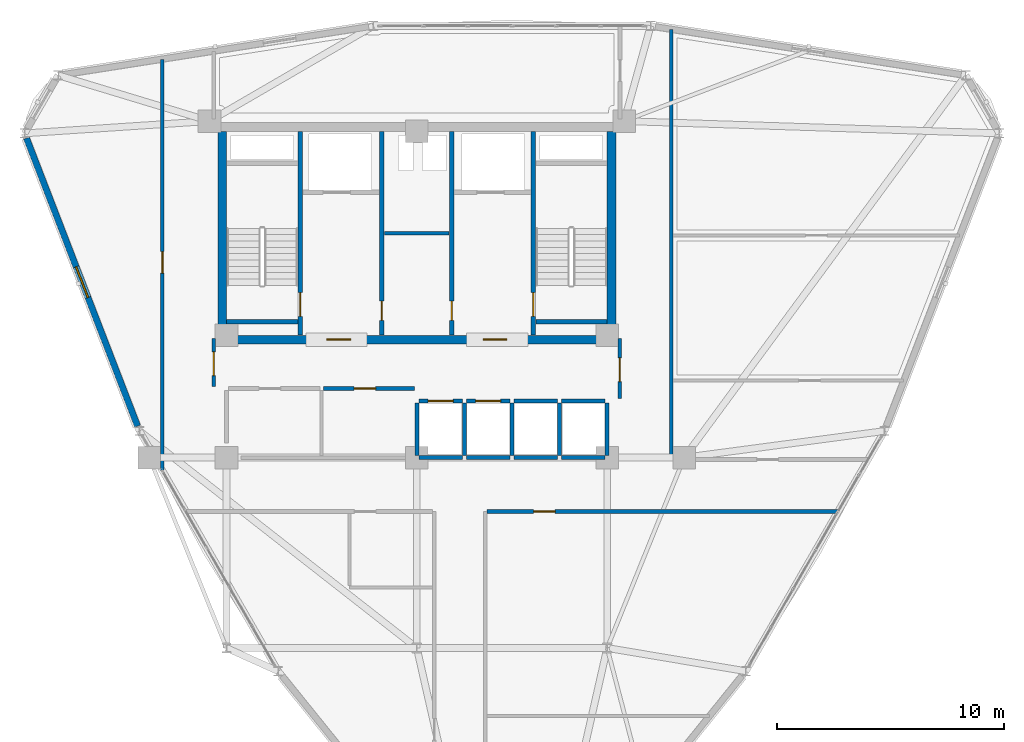
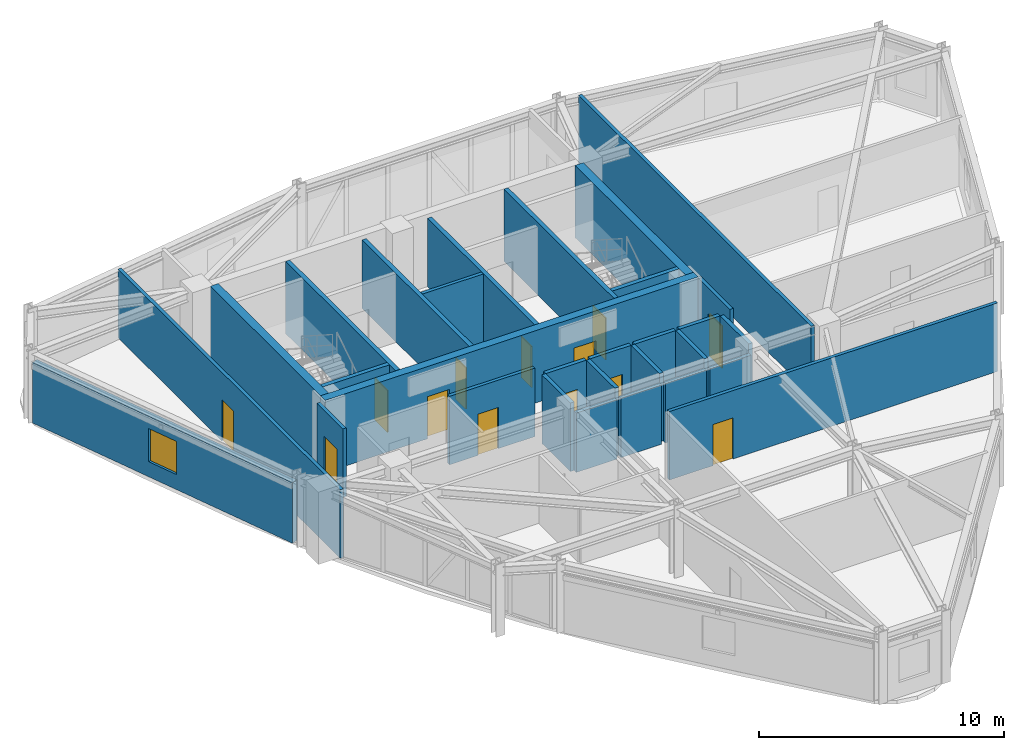
# One storey, part 13 of 16: 30 walls, 13 doors, 1 window, 14 openings.
"""IFC4 building model written with IfcOpenShell, lengths in metres."""

from ifc_helpers import new_model, si_unit, derived_unit, direction, frame, frame_2d, origin, place, context, subcontext, project, spatial, rectangle, extrude, material, layer, layer_set, type_object, element, fill, save


model = new_model("IFC4")

# Units and contexts
model_context = context("Model", 3, precision=1e-05, world=origin(), true_north=direction((0.0, 1.0)))
body_context = subcontext(model_context, "Body", "Model", "MODEL_VIEW")
ifc_project = project(units=[si_unit("LENGTHUNIT", "METRE"), si_unit("AREAUNIT", "SQUARE_METRE"), si_unit("VOLUMEUNIT", "CUBIC_METRE"), si_unit("PLANEANGLEUNIT", "RADIAN"), si_unit("MASSUNIT", "GRAM", prefix="KILO"), derived_unit("THERMALTRANSMITTANCEUNIT", [(si_unit("POWERUNIT", "WATT"), 1), (si_unit("LENGTHUNIT", "METRE"), -2), (si_unit("THERMODYNAMICTEMPERATUREUNIT", "KELVIN"), -1)])], contexts=[model_context])

# Site, building, storey
site_placement = place(None, origin())
site = spatial("IfcSite", under=ifc_project, at=site_placement, CompositionType="ELEMENT")
building_placement = place(site_placement, origin())
building = spatial("IfcBuilding", under=site, at=building_placement, Name="Korsvarv Bourse and Concert Hall", CompositionType="ELEMENT")
storey_placement = place(building_placement, frame((0.0, 0.0, 216.60009765625)))
storey = spatial("IfcBuildingStorey", under=building, at=storey_placement, Name="L56", CompositionType="ELEMENT", Elevation=216.60009765625)

# Wall, openings, doors
ifc_material_1 = material(Name="Concrete C50/60", Category="concrete")
ifc_layer_1 = layer(ifc_material_1, 0.3798828125)
ifc_layer_set_1 = layer_set([ifc_layer_1], Name="Concrete C50/60")
wall_type_1 = type_object("IfcWallType", Name="WL-CORE-380", PredefinedType="SHEAR", material=ifc_layer_set_1)
wall_1_placement = place(storey_placement, frame((27.219970703125, 37.610107421875, 0.0), z_axis=(0.0, 0.0, 1.0), x_axis=(1.0, 0.0, 0.0)))
wall_1 = element("IfcWall", 1, at=wall_1_placement, inside=storey, type_object=wall_type_1, Name="L56 South Core Shear Wall", PredefinedType="SHEAR", context=body_context, shape_type="SweptSolid", body=[
    extrude(rectangle(XDim=17.56005859375, YDim=0.3798828125, at=frame_2d((8.780029296875, 0.0))), origin(), (0.0, 0.0, 1.0), 3.599853515625),
])
opening_1_placement = place(wall_1_placement, frame((4.804931640625, 0.0, 0.0)))
opening_1 = element("IfcOpeningElement", 2, at=opening_1_placement, cuts=wall_1, Name="Opening D-01", PredefinedType="OPENING", context=body_context, shape_type="SweptSolid", body=[
    extrude(rectangle(XDim=1.050048828125, YDim=2.10009765625, at=frame_2d((0.52490234375, 1.050048828125))), frame((0.0, 0.199951171875, 0.0), z_axis=(0.0, -1.0, 0.0), x_axis=(1.0, 0.0, 0.0)), (0.0, 0.0, 1.0), 0.39990234375),
])
opening_2_placement = place(wall_1_placement, frame((11.705078125, 0.0, 0.0)))
opening_2 = element("IfcOpeningElement", 3, at=opening_2_placement, cuts=wall_1, Name="Opening D-01", PredefinedType="OPENING", context=body_context, shape_type="SweptSolid", body=[
    extrude(rectangle(XDim=1.050048828125, YDim=2.10009765625, at=frame_2d((0.52490234375, 1.050048828125))), frame((0.0, 0.199951171875, 0.0), z_axis=(0.0, -1.0, 0.0), x_axis=(1.0, 0.0, 0.0)), (0.0, 0.0, 1.0), 0.39990234375),
])
ifc_material_2 = material(Name="Steel S355 fire door", Category="steel")
door_type_1 = type_object("IfcDoorType", Name="DR-FD60", OperationType="NOTDEFINED", PredefinedType="DOOR", material=ifc_material_2)
door_1_placement = place(opening_1_placement, frame((1.050048828125, 0.0, 0.0), z_axis=(0.0, 0.0, 1.0), x_axis=(-1.0, 0.0, 0.0)))
door_1 = element("IfcDoor", 4, at=door_1_placement, inside=storey, type_object=door_type_1, Name="L56 firefighting lobby fire door DR-L56-FFLW", OperationType="SINGLE_SWING_RIGHT", OverallHeight=2.10009765625, OverallWidth=1.050048828125, PredefinedType="DOOR", context=body_context, shape_type="SweptSolid", body=[
    extrude(rectangle(XDim=1.050048828125, YDim=2.10009765625, at=frame_2d((0.52490234375, 1.050048828125))), frame((0.0, 0.02490234375, 0.0), z_axis=(0.0, -1.0, 0.0), x_axis=(1.0, 0.0, 0.0)), (0.0, 0.0, 1.0), 0.050048828125),
])
fill(opening_1, door_1)
door_2_placement = place(opening_2_placement, frame((1.050048828125, 0.0, 0.0), z_axis=(0.0, 0.0, 1.0), x_axis=(-1.0, 0.0, 0.0)))
door_2 = element("IfcDoor", 5, at=door_2_placement, inside=storey, type_object=door_type_1, Name="L56 firefighting lobby fire door DR-L56-FFLE", OperationType="SINGLE_SWING_LEFT", OverallHeight=2.10009765625, OverallWidth=1.050048828125, PredefinedType="DOOR", context=body_context, shape_type="SweptSolid", body=[
    extrude(rectangle(XDim=1.050048828125, YDim=2.10009765625, at=frame_2d((0.52490234375, 1.050048828125))), frame((0.0, 0.02490234375, 0.0), z_axis=(0.0, -1.0, 0.0), x_axis=(1.0, 0.0, 0.0)), (0.0, 0.0, 1.0), 0.050048828125),
])
fill(opening_2, door_2)

# Walls
for number, where, z_axis, x_axis, name in (
    (6, (27.409912109375, 37.800048828125, 0.0), (0.0, 0.0, 1.0), (0.0, 1.0, 0.0), "L56 West Core Shear Wall"),
    (7, (44.590087890625, 37.800048828125, 0.0), (0.0, 0.0, 1.0), (0.0, 1.0, 0.0), "L56 East Core Shear Wall"),
):
    element("IfcWall", number, at=place(storey_placement, frame(where, z_axis=z_axis, x_axis=x_axis)), inside=storey, type_object=wall_type_1, Name=name, PredefinedType="SHEAR", context=body_context, shape_type="SweptSolid", body=[
        extrude(rectangle(XDim=9.0, YDim=0.3798828125, at=frame_2d((4.5, 0.0))), origin(), (0.0, 0.0, 1.0), 3.599853515625),
    ])

# Wall, opening, door
wall_2_placement = place(storey_placement, frame((30.860107421875, 37.81005859375, 0.0), z_axis=(0.0, 0.0, 1.0), x_axis=(0.0, 1.0, 0.0)))
wall_2 = element("IfcWall", 8, at=wall_2_placement, inside=storey, type_object=wall_type_1, Name="L56 stair shaft structural wall W-L56-ST1-E", PredefinedType="SHEAR", context=body_context, shape_type="SweptSolid", body=[
    extrude(rectangle(XDim=8.97998046875, YDim=0.199951171875, at=frame_2d((4.489990234375, 0.0))), origin(), (0.0, 0.0, 1.0), 3.599853515625),
])
opening_3_placement = place(wall_2_placement, frame((0.820068359375, 0.0, 0.0)))
opening_3 = element("IfcOpeningElement", 9, at=opening_3_placement, cuts=wall_2, Name="Opening D-01", PredefinedType="OPENING", context=body_context, shape_type="SweptSolid", body=[
    extrude(rectangle(XDim=1.050048828125, YDim=2.10009765625, at=frame_2d((0.52490234375, 1.050048828125))), frame((0.0, 0.10986328125, 0.0), z_axis=(0.0, -1.0, 0.0), x_axis=(1.0, 0.0, 0.0)), (0.0, 0.0, 1.0), 0.219970703125),
])
door_3_placement = place(opening_3_placement, origin())
door_3 = element("IfcDoor", 10, at=door_3_placement, inside=storey, type_object=door_type_1, Name="L56 interior door DR-L56-ST1", OperationType="SINGLE_SWING_LEFT", OverallHeight=2.10009765625, OverallWidth=1.050048828125, PredefinedType="DOOR", context=body_context, shape_type="SweptSolid", body=[
    extrude(rectangle(XDim=1.050048828125, YDim=2.10009765625, at=frame_2d((0.52490234375, 1.050048828125))), frame((0.0, 0.02490234375, 0.0), z_axis=(0.0, -1.0, 0.0), x_axis=(1.0, 0.0, 0.0)), (0.0, 0.0, 1.0), 0.050048828125),
])
fill(opening_3, door_3)

# Wall
wall_3_placement = place(storey_placement, frame((27.610107421875, 38.39990234375, 0.0), z_axis=(0.0, 0.0, 1.0), x_axis=(1.0, 0.0, 0.0)))
element("IfcWall", 11, at=wall_3_placement, inside=storey, type_object=wall_type_1, Name="L56 stair shaft structural wall W-L56-ST1-S", PredefinedType="SHEAR", context=body_context, shape_type="SweptSolid", body=[
    extrude(rectangle(XDim=3.139892578125, YDim=0.199951171875, at=frame_2d((1.56982421875, 0.0))), origin(), (0.0, 0.0, 1.0), 3.599853515625),
])

# Wall, opening, door
wall_4_placement = place(storey_placement, frame((41.139892578125, 37.81005859375, 0.0), z_axis=(0.0, 0.0, 1.0), x_axis=(0.0, 1.0, 0.0)))
wall_4 = element("IfcWall", 12, at=wall_4_placement, inside=storey, type_object=wall_type_1, Name="L56 stair shaft structural wall W-L56-ST2-W", PredefinedType="SHEAR", context=body_context, shape_type="SweptSolid", body=[
    extrude(rectangle(XDim=8.97998046875, YDim=0.199951171875, at=frame_2d((4.489990234375, 0.0))), origin(), (0.0, 0.0, 1.0), 3.599853515625),
])
opening_4_placement = place(wall_4_placement, frame((0.820068359375, 0.0, 0.0)))
opening_4 = element("IfcOpeningElement", 13, at=opening_4_placement, cuts=wall_4, Name="Opening D-01", PredefinedType="OPENING", context=body_context, shape_type="SweptSolid", body=[
    extrude(rectangle(XDim=1.050048828125, YDim=2.10009765625, at=frame_2d((0.52490234375, 1.050048828125))), frame((0.0, 0.10986328125, 0.0), z_axis=(0.0, -1.0, 0.0), x_axis=(1.0, 0.0, 0.0)), (0.0, 0.0, 1.0), 0.219970703125),
])
door_4_placement = place(opening_4_placement, frame((1.050048828125, 0.0, 0.0), z_axis=(0.0, 0.0, 1.0), x_axis=(-1.0, 0.0, 0.0)))
door_4 = element("IfcDoor", 14, at=door_4_placement, inside=storey, type_object=door_type_1, Name="L56 interior door DR-L56-ST2", OperationType="SINGLE_SWING_RIGHT", OverallHeight=2.10009765625, OverallWidth=1.050048828125, PredefinedType="DOOR", context=body_context, shape_type="SweptSolid", body=[
    extrude(rectangle(XDim=1.050048828125, YDim=2.10009765625, at=frame_2d((0.52490234375, 1.050048828125))), frame((0.0, 0.02490234375, 0.0), z_axis=(0.0, -1.0, 0.0), x_axis=(1.0, 0.0, 0.0)), (0.0, 0.0, 1.0), 0.050048828125),
])
fill(opening_4, door_4)

# Wall
wall_5_placement = place(storey_placement, frame((41.25, 38.39990234375, 0.0), z_axis=(0.0, 0.0, 1.0), x_axis=(1.0, 0.0, 0.0)))
element("IfcWall", 15, at=wall_5_placement, inside=storey, type_object=wall_type_1, Name="L56 stair shaft structural wall W-L56-ST2-S", PredefinedType="SHEAR", context=body_context, shape_type="SweptSolid", body=[
    extrude(rectangle(XDim=3.139892578125, YDim=0.199951171875, at=frame_2d((1.56982421875, 0.0))), origin(), (0.0, 0.0, 1.0), 3.599853515625),
])

# Wall, opening, window
ifc_material_3 = material(Name="Precast concrete C45/55 with fluted terracotta pier", Category="concrete")
ifc_layer_2 = layer(ifc_material_3, 0.280029296875)
ifc_layer_set_2 = layer_set([ifc_layer_2], Name="Precast concrete C45/55 with fluted terracotta pier")
wall_type_2 = type_object("IfcWallType", Name="WL-EXT-TC2", PredefinedType="SOLIDWALL", material=ifc_layer_set_2)
wall_6_placement = place(storey_placement, frame((18.775146484375, 46.495361328125, 0.0), z_axis=(0.0, 0.0, 1.0), x_axis=(0.359956541612, -0.93296907138, 0.0)))
wall_6 = element("IfcWall", 16, at=wall_6_placement, inside=storey, type_object=wall_type_2, Name="L56 terracotta exterior wall EW-L56-B06", PredefinedType="SOLIDWALL", context=body_context, shape_type="SweptSolid", body=[
    extrude(rectangle(XDim=13.621337890625, YDim=0.280029296875, at=frame_2d((6.810546875, 0.0))), origin(), (0.0, 0.0, 1.0), 3.02001953125),
])
opening_5_placement = place(wall_6_placement, frame((6.085693359375, 0.0, 0.75)))
opening_5 = element("IfcOpeningElement", 17, at=opening_5_placement, cuts=wall_6, Name="Opening W-02", PredefinedType="OPENING", context=body_context, shape_type="SweptSolid", body=[
    extrude(rectangle(XDim=1.449951171875, YDim=1.64990234375, at=frame_2d((0.72509765625, 0.824951171875))), frame((0.0, 0.14990234375, 0.0), z_axis=(0.0, -1.0, 0.0), x_axis=(1.0, 0.0, 0.0)), (0.0, 0.0, 1.0), 0.300048828125),
])
ifc_material_4 = material(Name="Thermally broken aluminium frame with triple low-E glass", Category="glass")
window_type = type_object("IfcWindowType", Name="WIN-TW2", PartitioningType="SINGLE_PANEL", PredefinedType="WINDOW", material=ifc_material_4)
window_placement = place(opening_5_placement, origin())
window = element("IfcWindow", 18, at=window_placement, inside=storey, type_object=window_type, Name="L56 punched facade window W-02", OverallHeight=1.64990234375, OverallWidth=1.449951171875, PartitioningType="SINGLE_PANEL", PredefinedType="WINDOW", context=body_context, shape_type="SweptSolid", body=[
    extrude(rectangle(XDim=1.449951171875, YDim=1.64990234375, at=frame_2d((0.72509765625, 0.824951171875))), frame((0.0, 0.030029296875, 0.0), z_axis=(0.0, -1.0, 0.0), x_axis=(1.0, 0.0, 0.0)), (0.0, 0.0, 1.0), 0.06005859375),
])
fill(opening_5, window)

# Wall, opening, door
ifc_material_5 = material(Name="Reinforced concrete blockwork C35/45 fire wall", Category="concrete")
ifc_layer_3 = layer(ifc_material_5, 0.199951171875)
ifc_layer_set_3 = layer_set([ifc_layer_3], Name="Reinforced concrete blockwork C35/45 fire wall")
wall_type_3 = type_object("IfcWallType", Name="WL-INT-EI120", PredefinedType="PARTITIONING", material=ifc_layer_set_3)
wall_7_placement = place(storey_placement, frame((34.4599609375, 37.81005859375, 0.0), z_axis=(0.0, 0.0, 1.0), x_axis=(0.0, 1.0, 0.0)))
wall_7 = element("IfcWall", 19, at=wall_7_placement, inside=storey, type_object=wall_type_3, Name="L56 interior partition wall W-L56-CSB-W", PredefinedType="PARTITIONING", context=body_context, shape_type="SweptSolid", body=[
    extrude(rectangle(XDim=8.97998046875, YDim=0.199951171875, at=frame_2d((4.489990234375, 0.0))), origin(), (0.0, 0.0, 1.0), 3.409912109375),
])
opening_6_placement = place(wall_7_placement, frame((0.64990234375, 0.0, 0.0)))
opening_6 = element("IfcOpeningElement", 20, at=opening_6_placement, cuts=wall_7, Name="Opening D-05", PredefinedType="OPENING", context=body_context, shape_type="SweptSolid", body=[
    extrude(rectangle(XDim=0.85009765625, YDim=2.050048828125, at=frame_2d((0.425048828125, 1.02490234375))), frame((0.0, 0.10986328125, 0.0), z_axis=(0.0, -1.0, 0.0), x_axis=(1.0, 0.0, 0.0)), (0.0, 0.0, 1.0), 0.219970703125),
])
door_type_2 = type_object("IfcDoorType", Name="DR-FD60-850X2050", OperationType="NOTDEFINED", PredefinedType="DOOR", material=ifc_material_2)
door_5_placement = place(opening_6_placement, frame((0.85009765625, 0.0, 0.0), z_axis=(0.0, 0.0, 1.0), x_axis=(-1.0, 0.0, 0.0)))
door_5 = element("IfcDoor", 21, at=door_5_placement, inside=storey, type_object=door_type_2, Name="L56 interior door DR-L56-CSB1", OperationType="SINGLE_SWING_LEFT", OverallHeight=2.050048828125, OverallWidth=0.85009765625, PredefinedType="DOOR", context=body_context, shape_type="SweptSolid", body=[
    extrude(rectangle(XDim=0.85009765625, YDim=2.050048828125, at=frame_2d((0.425048828125, 1.02490234375))), frame((0.0, 0.02490234375, 0.0), z_axis=(0.0, -1.0, 0.0), x_axis=(1.0, 0.0, 0.0)), (0.0, 0.0, 1.0), 0.050048828125),
])
fill(opening_6, door_5)

wall_8_placement = place(storey_placement, frame((37.5400390625, 37.81005859375, 0.0), z_axis=(0.0, 0.0, 1.0), x_axis=(0.0, 1.0, 0.0)))
wall_8 = element("IfcWall", 22, at=wall_8_placement, inside=storey, type_object=wall_type_3, Name="L56 interior partition wall W-L56-CSB-E", PredefinedType="PARTITIONING", context=body_context, shape_type="SweptSolid", body=[
    extrude(rectangle(XDim=8.97998046875, YDim=0.199951171875, at=frame_2d((4.489990234375, 0.0))), origin(), (0.0, 0.0, 1.0), 3.409912109375),
])
opening_7_placement = place(wall_8_placement, frame((0.64990234375, 0.0, 0.0)))
opening_7 = element("IfcOpeningElement", 23, at=opening_7_placement, cuts=wall_8, Name="Opening D-05", PredefinedType="OPENING", context=body_context, shape_type="SweptSolid", body=[
    extrude(rectangle(XDim=0.85009765625, YDim=2.050048828125, at=frame_2d((0.425048828125, 1.02490234375))), frame((0.0, 0.10986328125, 0.0), z_axis=(0.0, -1.0, 0.0), x_axis=(1.0, 0.0, 0.0)), (0.0, 0.0, 1.0), 0.219970703125),
])
door_6_placement = place(opening_7_placement, origin())
door_6 = element("IfcDoor", 24, at=door_6_placement, inside=storey, type_object=door_type_2, Name="L56 interior door DR-L56-CSB2", OperationType="SINGLE_SWING_RIGHT", OverallHeight=2.050048828125, OverallWidth=0.85009765625, PredefinedType="DOOR", context=body_context, shape_type="SweptSolid", body=[
    extrude(rectangle(XDim=0.85009765625, YDim=2.050048828125, at=frame_2d((0.425048828125, 1.02490234375))), frame((0.0, 0.02490234375, 0.0), z_axis=(0.0, -1.0, 0.0), x_axis=(1.0, 0.0, 0.0)), (0.0, 0.0, 1.0), 0.050048828125),
])
fill(opening_7, door_6)

# Wall
ifc_material_6 = material(Name="Double-stud fire-rated acoustic partition", Category="gypsum")
ifc_layer_4 = layer(ifc_material_6, 0.159912109375)
ifc_layer_set_4 = layer_set([ifc_layer_4], Name="Double-stud fire-rated acoustic partition")
wall_type_4 = type_object("IfcWallType", Name="WL-INT-EI60", PredefinedType="PARTITIONING", material=ifc_layer_set_4)
wall_9_placement = place(storey_placement, frame((34.570068359375, 42.300048828125, 0.0), z_axis=(0.0, 0.0, 1.0), x_axis=(1.0, 0.0, 0.0)))
element("IfcWall", 25, at=wall_9_placement, inside=storey, type_object=wall_type_4, Name="L56 interior partition wall W-L56-K1", PredefinedType="PARTITIONING", context=body_context, shape_type="SweptSolid", body=[
    extrude(rectangle(XDim=2.85986328125, YDim=0.159912109375, at=frame_2d((1.429931640625, 0.0))), origin(), (0.0, 0.0, 1.0), 3.409912109375),
])

# Wall, opening, door
wall_10_placement = place(storey_placement, frame((31.8798828125, 35.449951171875, 0.0), z_axis=(0.0, 0.0, 1.0), x_axis=(1.0, 0.0, 0.0)))
wall_10 = element("IfcWall", 26, at=wall_10_placement, inside=storey, type_object=wall_type_4, Name="L56 interior partition wall W-L56-FRD-N2", PredefinedType="PARTITIONING", context=body_context, shape_type="SweptSolid", body=[
    extrude(rectangle(XDim=4.02001953125, YDim=0.159912109375, at=frame_2d((2.010009765625, 0.0))), origin(), (0.0, 0.0, 1.0), 3.409912109375),
])
opening_8_placement = place(wall_10_placement, frame((1.35009765625, 0.0, 0.0)))
opening_8 = element("IfcOpeningElement", 27, at=opening_8_placement, cuts=wall_10, Name="Opening D-03", PredefinedType="OPENING", context=body_context, shape_type="SweptSolid", body=[
    extrude(rectangle(XDim=0.949951171875, YDim=2.050048828125, at=frame_2d((0.47509765625, 1.02490234375))), frame((0.0, 0.08984375, 0.0), z_axis=(0.0, -1.0, 0.0), x_axis=(1.0, 0.0, 0.0)), (0.0, 0.0, 1.0), 0.179931640625),
])
ifc_material_7 = material(Name="Nordic oak acoustic office door", Category="wood")
door_type_3 = type_object("IfcDoorType", Name="DR-INT-1", OperationType="NOTDEFINED", PredefinedType="DOOR", material=ifc_material_7)
door_7_placement = place(opening_8_placement, origin())
door_7 = element("IfcDoor", 28, at=door_7_placement, inside=storey, type_object=door_type_3, Name="L56 interior door DR-L56-FRDN2", OperationType="SINGLE_SWING_RIGHT", OverallHeight=2.050048828125, OverallWidth=0.949951171875, PredefinedType="DOOR", context=body_context, shape_type="SweptSolid", body=[
    extrude(rectangle(XDim=0.949951171875, YDim=2.050048828125, at=frame_2d((0.47509765625, 1.02490234375))), frame((0.0, 0.02490234375, 0.0), z_axis=(0.0, -1.0, 0.0), x_axis=(1.0, 0.0, 0.0)), (0.0, 0.0, 1.0), 0.050048828125),
])
fill(opening_8, door_7)

wall_11_placement = place(storey_placement, frame((27.0400390625, 35.5400390625, 0.0), z_axis=(0.0, 0.0, 1.0), x_axis=(0.0, 1.0, 0.0)))
wall_11 = element("IfcWall", 29, at=wall_11_placement, inside=storey, type_object=wall_type_4, Name="L56 interior partition wall W-L56-LOB-WL", PredefinedType="PARTITIONING", context=body_context, shape_type="SweptSolid", body=[
    extrude(rectangle(XDim=2.10986328125, YDim=0.159912109375, at=frame_2d((1.054931640625, 0.0))), origin(), (0.0, 0.0, 1.0), 3.409912109375),
])
opening_9_placement = place(wall_11_placement, frame((0.47998046875, 0.0, 0.0)))
opening_9 = element("IfcOpeningElement", 30, at=opening_9_placement, cuts=wall_11, Name="Opening D-01", PredefinedType="OPENING", context=body_context, shape_type="SweptSolid", body=[
    extrude(rectangle(XDim=1.050048828125, YDim=2.10009765625, at=frame_2d((0.52490234375, 1.050048828125))), frame((0.0, 0.08984375, 0.0), z_axis=(0.0, -1.0, 0.0), x_axis=(1.0, 0.0, 0.0)), (0.0, 0.0, 1.0), 0.179931640625),
])
door_8_placement = place(opening_9_placement, frame((1.050048828125, 0.0, 0.0), z_axis=(0.0, 0.0, 1.0), x_axis=(-1.0, 0.0, 0.0)))
door_8 = element("IfcDoor", 31, at=door_8_placement, inside=storey, type_object=door_type_1, Name="L56 interior door DR-L56-LOBW", OperationType="SINGLE_SWING_LEFT", OverallHeight=2.10009765625, OverallWidth=1.050048828125, PredefinedType="DOOR", context=body_context, shape_type="SweptSolid", body=[
    extrude(rectangle(XDim=1.050048828125, YDim=2.10009765625, at=frame_2d((0.52490234375, 1.050048828125))), frame((0.0, 0.02490234375, 0.0), z_axis=(0.0, -1.0, 0.0), x_axis=(1.0, 0.0, 0.0)), (0.0, 0.0, 1.0), 0.050048828125),
])
fill(opening_9, door_8)

wall_12_placement = place(storey_placement, frame((44.9599609375, 35.0, 0.0), z_axis=(0.0, 0.0, 1.0), x_axis=(0.0, 1.0, 0.0)))
wall_12 = element("IfcWall", 32, at=wall_12_placement, inside=storey, type_object=wall_type_4, Name="L56 interior partition wall W-L56-LOB-E", PredefinedType="PARTITIONING", context=body_context, shape_type="SweptSolid", body=[
    extrude(rectangle(XDim=2.64990234375, YDim=0.159912109375, at=frame_2d((1.324951171875, 0.0))), origin(), (0.0, 0.0, 1.0), 3.409912109375),
])
opening_10_placement = place(wall_12_placement, frame((0.75, 0.0, 0.0)))
opening_10 = element("IfcOpeningElement", 33, at=opening_10_placement, cuts=wall_12, Name="Opening D-01", PredefinedType="OPENING", context=body_context, shape_type="SweptSolid", body=[
    extrude(rectangle(XDim=1.050048828125, YDim=2.10009765625, at=frame_2d((0.52490234375, 1.050048828125))), frame((0.0, 0.08984375, 0.0), z_axis=(0.0, -1.0, 0.0), x_axis=(1.0, 0.0, 0.0)), (0.0, 0.0, 1.0), 0.179931640625),
])
door_9_placement = place(opening_10_placement, origin())
door_9 = element("IfcDoor", 34, at=door_9_placement, inside=storey, type_object=door_type_1, Name="L56 interior door DR-L56-LOBE", OperationType="SINGLE_SWING_RIGHT", OverallHeight=2.10009765625, OverallWidth=1.050048828125, PredefinedType="DOOR", context=body_context, shape_type="SweptSolid", body=[
    extrude(rectangle(XDim=1.050048828125, YDim=2.10009765625, at=frame_2d((0.52490234375, 1.050048828125))), frame((0.0, 0.02490234375, 0.0), z_axis=(0.0, -1.0, 0.0), x_axis=(1.0, 0.0, 0.0)), (0.0, 0.0, 1.0), 0.050048828125),
])
fill(opening_10, door_9)

# Wall
wall_13_placement = place(storey_placement, frame((47.22509765625, 32.31005859375, 0.0), z_axis=(0.0, 0.0, 1.0), x_axis=(0.0, 1.0, 0.0)))
element("IfcWall", 35, at=wall_13_placement, inside=storey, type_object=wall_type_4, Name="L56 interior partition wall W-L56-TCOR-01", PredefinedType="PARTITIONING", context=body_context, shape_type="SweptSolid", body=[
    extrude(rectangle(XDim=18.97802734375, YDim=0.159912109375, at=frame_2d((9.489013671875, 0.0))), origin(), (0.0, 0.0, 1.0), 3.409912109375),
])

# Wall, opening, door
wall_14_placement = place(storey_placement, frame((24.77490234375, 31.8369140625, 0.0), z_axis=(0.0, 0.0, 1.0), x_axis=(0.0, 1.0, 0.0)))
wall_14 = element("IfcWall", 36, at=wall_14_placement, inside=storey, type_object=wall_type_4, Name="L56 interior partition wall W-L56-TCOR-02", PredefinedType="PARTITIONING", context=body_context, shape_type="SweptSolid", body=[
    extrude(rectangle(XDim=18.135498046875, YDim=0.159912109375, at=frame_2d((9.06787109375, 0.0))), origin(), (0.0, 0.0, 1.0), 3.409912109375),
])
opening_11_placement = place(wall_14_placement, frame((8.7041015625, 0.0, 0.0)))
opening_11 = element("IfcOpeningElement", 37, at=opening_11_placement, cuts=wall_14, Name="Opening D-02", PredefinedType="OPENING", context=body_context, shape_type="SweptSolid", body=[
    extrude(rectangle(XDim=0.949951171875, YDim=2.050048828125, at=frame_2d((0.47509765625, 1.02490234375))), frame((0.0, 0.08984375, 0.0), z_axis=(0.0, -1.0, 0.0), x_axis=(1.0, 0.0, 0.0)), (0.0, 0.0, 1.0), 0.179931640625),
])
ifc_material_8 = material(Name="Timber and steel acoustic fire door", Category="wood")
door_type_4 = type_object("IfcDoorType", Name="DR-FD30", OperationType="NOTDEFINED", PredefinedType="DOOR", material=ifc_material_8)
door_10_placement = place(opening_11_placement, origin())
door_10 = element("IfcDoor", 38, at=door_10_placement, inside=storey, type_object=door_type_4, Name="L56 interior door DR-L56-TCOR-EC68", OperationType="SINGLE_SWING_LEFT", OverallHeight=2.050048828125, OverallWidth=0.949951171875, PredefinedType="DOOR", context=body_context, shape_type="SweptSolid", body=[
    extrude(rectangle(XDim=0.949951171875, YDim=2.050048828125, at=frame_2d((0.47509765625, 1.02490234375))), frame((0.0, 0.02490234375, 0.0), z_axis=(0.0, -1.0, 0.0), x_axis=(1.0, 0.0, 0.0)), (0.0, 0.0, 1.0), 0.050048828125),
])
fill(opening_11, door_10)

wall_15_placement = place(storey_placement, frame((39.10693359375, 30.02490234375, 0.0), z_axis=(0.0, 0.0, 1.0), x_axis=(1.0, 0.0, 0.0)))
wall_15 = element("IfcWall", 39, at=wall_15_placement, inside=storey, type_object=wall_type_4, Name="L56 interior partition wall W-L56-TCOR-05", PredefinedType="PARTITIONING", context=body_context, shape_type="SweptSolid", body=[
    extrude(rectangle(XDim=15.46337890625, YDim=0.159912109375, at=frame_2d((7.731689453125, 0.0))), origin(), (0.0, 0.0, 1.0), 3.409912109375),
])
opening_12_placement = place(wall_15_placement, frame((2.05078125, 0.0, 0.0)))
opening_12 = element("IfcOpeningElement", 40, at=opening_12_placement, cuts=wall_15, Name="Opening D-02", PredefinedType="OPENING", context=body_context, shape_type="SweptSolid", body=[
    extrude(rectangle(XDim=0.949951171875, YDim=2.050048828125, at=frame_2d((0.47509765625, 1.02490234375))), frame((0.0, 0.08984375, 0.0), z_axis=(0.0, -1.0, 0.0), x_axis=(1.0, 0.0, 0.0)), (0.0, 0.0, 1.0), 0.179931640625),
])
door_11_placement = place(opening_12_placement, origin())
door_11 = element("IfcDoor", 41, at=door_11_placement, inside=storey, type_object=door_type_4, Name="L56 interior door DR-L56-TCOR-EC25", OperationType="SINGLE_SWING_RIGHT", OverallHeight=2.050048828125, OverallWidth=0.949951171875, PredefinedType="DOOR", context=body_context, shape_type="SweptSolid", body=[
    extrude(rectangle(XDim=0.949951171875, YDim=2.050048828125, at=frame_2d((0.47509765625, 1.02490234375))), frame((0.0, 0.02490234375, 0.0), z_axis=(0.0, -1.0, 0.0), x_axis=(1.0, 0.0, 0.0)), (0.0, 0.0, 1.0), 0.050048828125),
])
fill(opening_12, door_11)

ifc_material_9 = material(Name="Gypsum-clad autoclaved concrete shaft wall C30/37", Category="concrete")
ifc_layer_5 = layer(ifc_material_9, 0.179931640625)
ifc_layer_set_5 = layer_set([ifc_layer_5], Name="Gypsum-clad autoclaved concrete shaft wall C30/37")
wall_type_5 = type_object("IfcWallType", Name="WL-INT-EI90", PredefinedType="PARTITIONING", material=ifc_layer_set_5)
wall_16_placement = place(storey_placement, frame((36.090087890625, 34.89990234375, 0.0), z_axis=(0.0, 0.0, 1.0), x_axis=(1.0, 0.0, 0.0)))
wall_16 = element("IfcWall", 42, at=wall_16_placement, inside=storey, type_object=wall_type_5, Name="L56 interior partition wall W-L56-SHFN-PH1", PredefinedType="PARTITIONING", context=body_context, shape_type="SweptSolid", body=[
    extrude(rectangle(XDim=1.919921875, YDim=0.179931640625, at=frame_2d((0.9599609375, 0.0))), origin(), (0.0, 0.0, 1.0), 3.409912109375),
])
opening_13_placement = place(wall_16_placement, frame((0.409912109375, 0.0, 0.0)))
opening_13 = element("IfcOpeningElement", 43, at=opening_13_placement, cuts=wall_16, Name="Opening LD-2", PredefinedType="OPENING", context=body_context, shape_type="SweptSolid", body=[
    extrude(rectangle(XDim=1.10009765625, YDim=2.10009765625, at=frame_2d((0.550048828125, 1.050048828125))), frame((0.0, 0.10009765625, 0.0), z_axis=(0.0, -1.0, 0.0), x_axis=(1.0, 0.0, 0.0)), (0.0, 0.0, 1.0), 0.199951171875),
])
ifc_material_10 = material(Name="Brushed stainless Steel S355 lift landing door", Category="steel")
door_type_5 = type_object("IfcDoorType", Name="DR-LIFT-P", OperationType="DOUBLE_DOOR_SLIDING", PredefinedType="DOOR", material=ifc_material_10)
door_12_placement = place(opening_13_placement, origin())
door_12 = element("IfcDoor", 44, at=door_12_placement, inside=storey, type_object=door_type_5, Name="L56 lift sliding landing door LD-L56-PH1", OperationType="DOUBLE_DOOR_SLIDING", OverallHeight=2.10009765625, OverallWidth=1.10009765625, PredefinedType="DOOR", context=body_context, shape_type="SweptSolid", body=[
    extrude(rectangle(XDim=1.10009765625, YDim=2.10009765625, at=frame_2d((0.550048828125, 1.050048828125))), frame((0.0, 0.02490234375, 0.0), z_axis=(0.0, -1.0, 0.0), x_axis=(1.0, 0.0, 0.0)), (0.0, 0.0, 1.0), 0.050048828125),
])
fill(opening_13, door_12)

# Walls
wall_17_placement = place(storey_placement, frame((36.090087890625, 32.39990234375, 0.0), z_axis=(0.0, 0.0, 1.0), x_axis=(1.0, 0.0, 0.0)))
element("IfcWall", 45, at=wall_17_placement, inside=storey, type_object=wall_type_5, Name="L56 interior partition wall W-L56-SHFS-PH1", PredefinedType="PARTITIONING", context=body_context, shape_type="SweptSolid", body=[
    extrude(rectangle(XDim=1.919921875, YDim=0.179931640625, at=frame_2d((0.9599609375, 0.0))), origin(), (0.0, 0.0, 1.0), 2.9599609375),
])
wall_18_placement = place(storey_placement, frame((36.0, 32.489990234375, 0.0), z_axis=(0.0, 0.0, 1.0), x_axis=(0.0, 1.0, 0.0)))
element("IfcWall", 46, at=wall_18_placement, inside=storey, type_object=wall_type_5, Name="L56 interior partition wall W-L56-SHFW-PH1", PredefinedType="PARTITIONING", context=body_context, shape_type="SweptSolid", body=[
    extrude(rectangle(XDim=2.320068359375, YDim=0.179931640625, at=frame_2d((1.16015625, 0.0))), origin(), (0.0, 0.0, 1.0), 3.409912109375),
])

# Wall, opening, door
wall_19_placement = place(storey_placement, frame((38.18994140625, 34.89990234375, 0.0), z_axis=(0.0, 0.0, 1.0), x_axis=(1.0, 0.0, 0.0)))
wall_19 = element("IfcWall", 47, at=wall_19_placement, inside=storey, type_object=wall_type_5, Name="L56 interior partition wall W-L56-SHFN-PH2", PredefinedType="PARTITIONING", context=body_context, shape_type="SweptSolid", body=[
    extrude(rectangle(XDim=1.920166015625, YDim=0.179931640625, at=frame_2d((0.9599609375, 0.0))), origin(), (0.0, 0.0, 1.0), 3.409912109375),
])
opening_14_placement = place(wall_19_placement, frame((0.409912109375, 0.0, 0.0)))
opening_14 = element("IfcOpeningElement", 48, at=opening_14_placement, cuts=wall_19, Name="Opening LD-2", PredefinedType="OPENING", context=body_context, shape_type="SweptSolid", body=[
    extrude(rectangle(XDim=1.10009765625, YDim=2.10009765625, at=frame_2d((0.550048828125, 1.050048828125))), frame((0.0, 0.10009765625, 0.0), z_axis=(0.0, -1.0, 0.0), x_axis=(1.0, 0.0, 0.0)), (0.0, 0.0, 1.0), 0.199951171875),
])
door_13_placement = place(opening_14_placement, origin())
door_13 = element("IfcDoor", 49, at=door_13_placement, inside=storey, type_object=door_type_5, Name="L56 lift sliding landing door LD-L56-PH2", OperationType="DOUBLE_DOOR_SLIDING", OverallHeight=2.10009765625, OverallWidth=1.10009765625, PredefinedType="DOOR", context=body_context, shape_type="SweptSolid", body=[
    extrude(rectangle(XDim=1.10009765625, YDim=2.10009765625, at=frame_2d((0.550048828125, 1.050048828125))), frame((0.0, 0.02490234375, 0.0), z_axis=(0.0, -1.0, 0.0), x_axis=(1.0, 0.0, 0.0)), (0.0, 0.0, 1.0), 0.050048828125),
])
fill(opening_14, door_13)

# Walls
wall_20_placement = place(storey_placement, frame((38.18994140625, 32.39990234375, 0.0), z_axis=(0.0, 0.0, 1.0), x_axis=(1.0, 0.0, 0.0)))
element("IfcWall", 50, at=wall_20_placement, inside=storey, type_object=wall_type_5, Name="L56 interior partition wall W-L56-SHFS-PH2", PredefinedType="PARTITIONING", context=body_context, shape_type="SweptSolid", body=[
    extrude(rectangle(XDim=1.920166015625, YDim=0.179931640625, at=frame_2d((0.9599609375, 0.0))), origin(), (0.0, 0.0, 1.0), 2.9599609375),
])
wall_21_placement = place(storey_placement, frame((38.10009765625, 32.489990234375, 0.0), z_axis=(0.0, 0.0, 1.0), x_axis=(0.0, 1.0, 0.0)))
element("IfcWall", 51, at=wall_21_placement, inside=storey, type_object=wall_type_5, Name="L56 interior partition wall W-L56-SHFW-PH2", PredefinedType="PARTITIONING", context=body_context, shape_type="SweptSolid", body=[
    extrude(rectangle(XDim=2.320068359375, YDim=0.179931640625, at=frame_2d((1.16015625, 0.0))), origin(), (0.0, 0.0, 1.0), 3.409912109375),
])
wall_22_placement = place(storey_placement, frame((40.2900390625, 34.89990234375, 0.0), z_axis=(0.0, 0.0, 1.0), x_axis=(1.0, 0.0, 0.0)))
element("IfcWall", 52, at=wall_22_placement, inside=storey, type_object=wall_type_5, Name="L56 interior partition wall W-L56-SHFN-PO1", PredefinedType="PARTITIONING", context=body_context, shape_type="SweptSolid", body=[
    extrude(rectangle(XDim=1.919921875, YDim=0.179931640625, at=frame_2d((0.9599609375, 0.0))), origin(), (0.0, 0.0, 1.0), 3.409912109375),
])
wall_23_placement = place(storey_placement, frame((40.2900390625, 32.39990234375, 0.0), z_axis=(0.0, 0.0, 1.0), x_axis=(1.0, 0.0, 0.0)))
element("IfcWall", 53, at=wall_23_placement, inside=storey, type_object=wall_type_5, Name="L56 interior partition wall W-L56-SHFS-PO1", PredefinedType="PARTITIONING", context=body_context, shape_type="SweptSolid", body=[
    extrude(rectangle(XDim=1.919921875, YDim=0.179931640625, at=frame_2d((0.9599609375, 0.0))), origin(), (0.0, 0.0, 1.0), 2.9599609375),
])
wall_24_placement = place(storey_placement, frame((40.199951171875, 32.489990234375, 0.0), z_axis=(0.0, 0.0, 1.0), x_axis=(0.0, 1.0, 0.0)))
element("IfcWall", 54, at=wall_24_placement, inside=storey, type_object=wall_type_5, Name="L56 interior partition wall W-L56-SHFW-PO1", PredefinedType="PARTITIONING", context=body_context, shape_type="SweptSolid", body=[
    extrude(rectangle(XDim=2.320068359375, YDim=0.179931640625, at=frame_2d((1.16015625, 0.0))), origin(), (0.0, 0.0, 1.0), 3.409912109375),
])
wall_25_placement = place(storey_placement, frame((42.389892578125, 34.89990234375, 0.0), z_axis=(0.0, 0.0, 1.0), x_axis=(1.0, 0.0, 0.0)))
element("IfcWall", 55, at=wall_25_placement, inside=storey, type_object=wall_type_5, Name="L56 interior partition wall W-L56-SHFN-PO2", PredefinedType="PARTITIONING", context=body_context, shape_type="SweptSolid", body=[
    extrude(rectangle(XDim=1.920166015625, YDim=0.179931640625, at=frame_2d((0.9599609375, 0.0))), origin(), (0.0, 0.0, 1.0), 3.409912109375),
])
wall_26_placement = place(storey_placement, frame((42.389892578125, 32.39990234375, 0.0), z_axis=(0.0, 0.0, 1.0), x_axis=(1.0, 0.0, 0.0)))
element("IfcWall", 56, at=wall_26_placement, inside=storey, type_object=wall_type_5, Name="L56 interior partition wall W-L56-SHFS-PO2", PredefinedType="PARTITIONING", context=body_context, shape_type="SweptSolid", body=[
    extrude(rectangle(XDim=1.920166015625, YDim=0.179931640625, at=frame_2d((0.9599609375, 0.0))), origin(), (0.0, 0.0, 1.0), 2.9599609375),
])
for number, where, z_axis, x_axis, name in (
    (57, (42.300048828125, 32.489990234375, 0.0), (0.0, 0.0, 1.0), (0.0, 1.0, 0.0), "L56 interior partition wall W-L56-SHFW-PO2"),
    (58, (44.39990234375, 32.489990234375, 0.0), (0.0, 0.0, 1.0), (0.0, 1.0, 0.0), "L56 interior partition wall W-L56-SHFE-END"),
):
    element("IfcWall", number, at=place(storey_placement, frame(where, z_axis=z_axis, x_axis=x_axis)), inside=storey, type_object=wall_type_5, Name=name, PredefinedType="PARTITIONING", context=body_context, shape_type="SweptSolid", body=[
        extrude(rectangle(XDim=2.320068359375, YDim=0.179931640625, at=frame_2d((1.16015625, 0.0))), origin(), (0.0, 0.0, 1.0), 3.409912109375),
    ])

save(model, "model.ifc")
